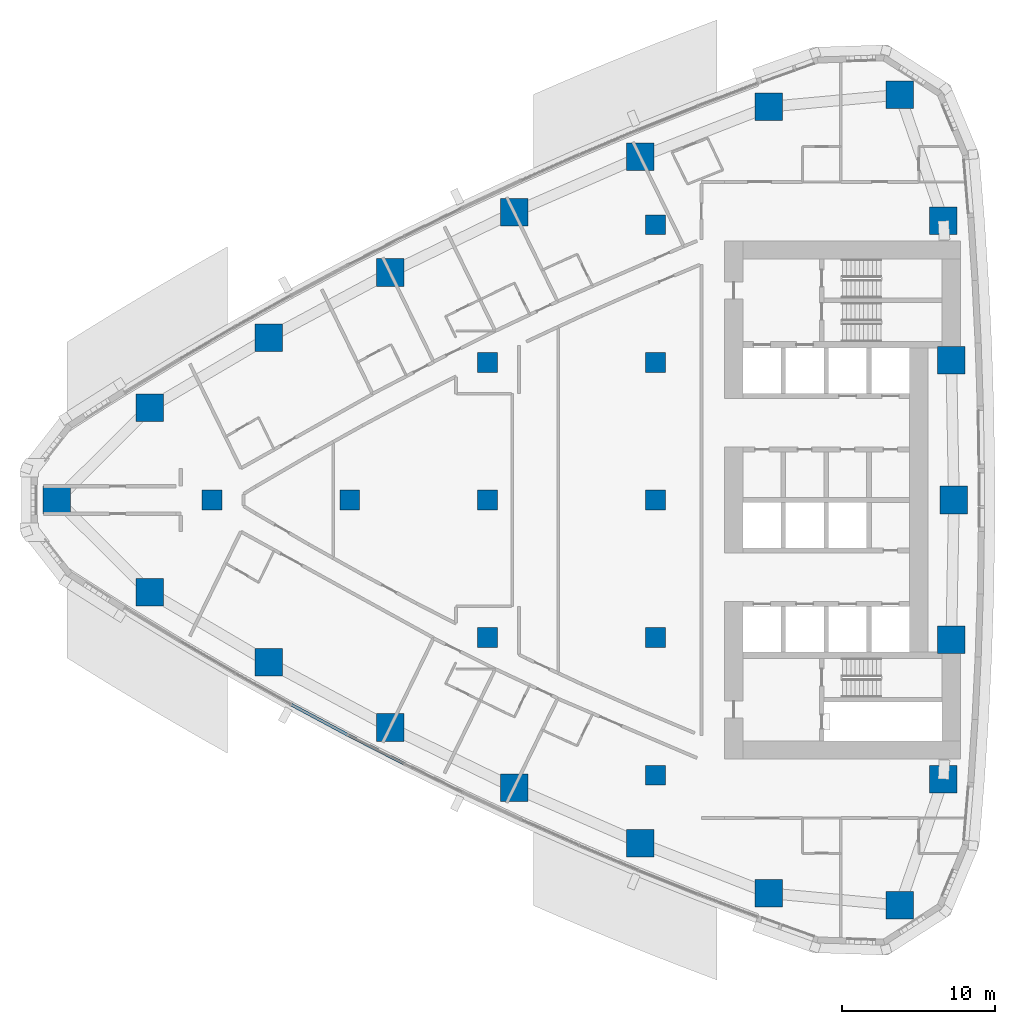
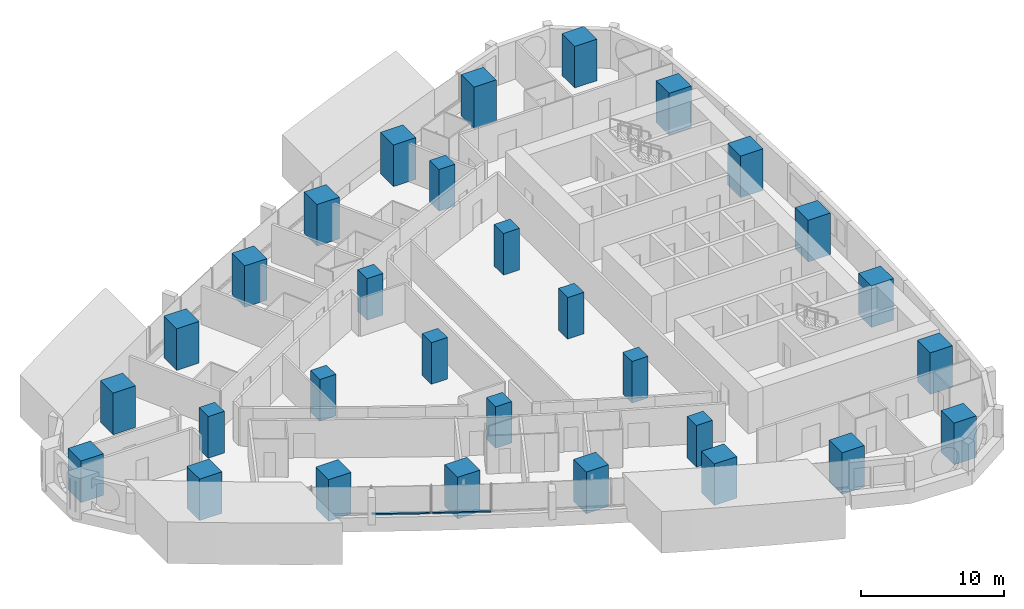
# One storey, part 1 of 19: 30 columns, 2 members, 1 element without a shape of its own.
"""IFC4 building model written with IfcOpenShell, lengths in metres."""

from ifc_helpers import new_model, si_unit, direction, frame, origin, origin_2d, place, context, subcontext, project, spatial, rectangle, extrude, material, layer, layer_set, material_profile, profile_set, type_object, element, aggregate, save


model = new_model("IFC4")

# Units and contexts
model_context = context("Model", 3, precision=1e-05, world=origin(), true_north=direction((0.0, 1.0)))
body_context = subcontext(model_context, "Body", "Model", "MODEL_VIEW")
ifc_project = project(units=[si_unit("LENGTHUNIT", "METRE"), si_unit("AREAUNIT", "SQUARE_METRE"), si_unit("VOLUMEUNIT", "CUBIC_METRE"), si_unit("PLANEANGLEUNIT", "RADIAN"), si_unit("MASSUNIT", "GRAM", prefix="KILO")], contexts=[model_context])

# Site, building, storey
site_placement = place(None, origin())
site = spatial("IfcSite", under=ifc_project, at=site_placement, CompositionType="ELEMENT")
building_placement = place(site_placement, origin())
building = spatial("IfcBuilding", under=site, at=building_placement, Name="Ostrand Prow Hotel Tower", CompositionType="ELEMENT")
storey_placement = place(building_placement, frame((0.0, 0.0, 39.60009765625)))
storey = spatial("IfcBuildingStorey", under=building, at=storey_placement, Name="L07", CompositionType="ELEMENT", Elevation=39.60009765625)

# Columns
ifc_material_1 = material(Name="Concrete C80/95", Category="concrete")
ifc_material_profile_1 = material_profile(ifc_material_1, rectangle(XDim=1.300048828125, YDim=1.300048828125, at=origin_2d()), Name="RC 1300x1300")
ifc_profile_set_1 = profile_set([ifc_material_profile_1], Name="Concrete C80/95")
column_type_1 = type_object("IfcColumnType", Name="Interior column 1300x1300 C80/95", PredefinedType="COLUMN", material=ifc_profile_set_1)
for number, where, z_axis, x_axis, name in (
    (1, (16.0, 0.0, 0.0), (0.0, 0.0, 1.0), (1.0, 0.0, 0.0), "Interior column 16C0"),
    (2, (25.0, 0.0, 0.0), (0.0, 0.0, 1.0), (1.0, 0.0, 0.0), "Interior column 25C0"),
    (3, (34.0, -9.0, 0.0), (0.0, 0.0, 1.0), (1.0, 0.0, 0.0), "Interior column 34S9"),
    (4, (34.0, 0.0, 0.0), (0.0, 0.0, 1.0), (1.0, 0.0, 0.0), "Interior column 34C0"),
    (5, (34.0, 9.0, 0.0), (0.0, 0.0, 1.0), (1.0, 0.0, 0.0), "Interior column 34N9"),
    (6, (45.0, -18.0, 0.0), (0.0, 0.0, 1.0), (1.0, 0.0, 0.0), "Interior column 45S18"),
    (7, (45.0, -9.0, 0.0), (0.0, 0.0, 1.0), (1.0, 0.0, 0.0), "Interior column 45S9"),
    (8, (45.0, 0.0, 0.0), (0.0, 0.0, 1.0), (1.0, 0.0, 0.0), "Interior column 45C0"),
    (9, (45.0, 9.0, 0.0), (0.0, 0.0, 1.0), (1.0, 0.0, 0.0), "Interior column 45N9"),
    (10, (45.0, 18.0, 0.0), (0.0, 0.0, 1.0), (1.0, 0.0, 0.0), "Interior column 45N18"),
):
    element("IfcColumn", number, at=place(storey_placement, frame(where, z_axis=z_axis, x_axis=x_axis)), inside=storey, type_object=column_type_1, Name=name, PredefinedType="COLUMN", context=body_context, shape_type="SweptSolid", body=[
        extrude(rectangle(XDim=1.300048828125, YDim=1.300048828125, at=origin_2d()), origin(), (0.0, 0.0, 1.0), 3.5498046875),
    ])
ifc_material_2 = material(Name="Concrete C80/95", Category="concrete")
ifc_material_profile_2 = material_profile(ifc_material_2, rectangle(XDim=1.800048828125, YDim=1.800048828125, at=origin_2d()), Name="RC 1800x1800")
ifc_profile_set_2 = profile_set([ifc_material_profile_2], Name="Concrete C80/95")
column_type_2 = type_object("IfcColumnType", Name="Stone-faced mega column 1800x1800 C80/95", PredefinedType="COLUMN", material=ifc_profile_set_2)
for number, where, z_axis, x_axis, name in (
    (11, (5.848388671875, 0.0, 0.0), (0.0, 0.0, 1.0), (1.0, 0.0, 0.0), "Mega column P"),
    (12, (11.926513671875, -6.0419921875, 0.0), (0.0, 0.0, 1.0), (1.0, 0.0, 0.0), "Mega column S1"),
    (13, (19.69287109375, -10.61474609375, 0.0), (0.0, 0.0, 1.0), (1.0, 0.0, 0.0), "Mega column S2"),
    (14, (27.635498046875, -14.874267578125, 0.0), (0.0, 0.0, 1.0), (1.0, 0.0, 0.0), "Mega column S3"),
    (15, (35.7412109375, -18.814208984375, 0.0), (0.0, 0.0, 1.0), (1.0, 0.0, 0.0), "Mega column S4"),
    (16, (43.997802734375, -22.427978515625, 0.0), (0.0, 0.0, 1.0), (1.0, 0.0, 0.0), "Mega column S5"),
    (17, (52.3916015625, -25.710205078125, 0.0), (0.0, 0.0, 1.0), (1.0, 0.0, 0.0), "Mega column S6"),
    (18, (60.966064453125, -26.49853515625, 0.0), (0.0, 0.0, 1.0), (1.0, 0.0, 0.0), "Mega column SE"),
    (19, (63.8134765625, -18.248779296875, 0.0), (0.0, 0.0, 1.0), (1.0, 0.0, 0.0), "Mega column B1"),
    (20, (64.328369140625, -9.130859375, 0.0), (0.0, 0.0, 1.0), (1.0, 0.0, 0.0), "Mega column B2"),
    (21, (64.5, 0.0, 0.0), (0.0, 0.0, 1.0), (1.0, 0.0, 0.0), "Mega column B3"),
    (22, (64.328369140625, 9.130859375, 0.0), (0.0, 0.0, 1.0), (1.0, 0.0, 0.0), "Mega column B4"),
    (23, (63.8134765625, 18.248779296875, 0.0), (0.0, 0.0, 1.0), (1.0, 0.0, 0.0), "Mega column B5"),
    (24, (60.966064453125, 26.49853515625, 0.0), (0.0, 0.0, 1.0), (1.0, 0.0, 0.0), "Mega column NE"),
    (25, (52.3916015625, 25.710205078125, 0.0), (0.0, 0.0, 1.0), (1.0, 0.0, 0.0), "Mega column N1"),
    (26, (43.997802734375, 22.427978515625, 0.0), (0.0, 0.0, 1.0), (1.0, 0.0, 0.0), "Mega column N2"),
    (27, (35.7412109375, 18.814208984375, 0.0), (0.0, 0.0, 1.0), (1.0, 0.0, 0.0), "Mega column N3"),
    (28, (27.635498046875, 14.874267578125, 0.0), (0.0, 0.0, 1.0), (1.0, 0.0, 0.0), "Mega column N4"),
    (29, (19.69287109375, 10.61474609375, 0.0), (0.0, 0.0, 1.0), (1.0, 0.0, 0.0), "Mega column N5"),
    (30, (11.926513671875, 6.0419921875, 0.0), (0.0, 0.0, 1.0), (1.0, 0.0, 0.0), "Mega column N6"),
):
    element("IfcColumn", number, at=place(storey_placement, frame(where, z_axis=z_axis, x_axis=x_axis)), inside=storey, type_object=column_type_2, Name=name, PredefinedType="COLUMN", context=body_context, shape_type="SweptSolid", body=[
        extrude(rectangle(XDim=1.800048828125, YDim=1.800048828125, at=origin_2d()), origin(), (0.0, 0.0, 1.0), 3.5498046875),
    ])

# Curtain wall, members
ifc_material_3 = material(Name="Insulated glass in bronze anodised frame", Category="glass")
ifc_layer = layer(ifc_material_3, 0.199951171875)
ifc_layer_set = layer_set([ifc_layer], Name="Insulated glass in bronze anodised frame")
curtain_wall_type = type_object("IfcCurtainWallType", Name="Strip curtain wall, fritted glass over bronze spandrel", PredefinedType="NOTDEFINED", material=ifc_layer_set)
curtain_wall_placement = place(storey_placement, origin())
curtain_wall = element("IfcCurtainWall", 31, at=curtain_wall_placement, inside=storey, type_object=curtain_wall_type, Name="CW1 run CWS2", PredefinedType="NOTDEFINED")
ifc_material_4 = material(Name="Bronze anodised aluminium", Category="aluminium")
ifc_material_profile_3 = material_profile(ifc_material_4, rectangle(XDim=0.199951171875, YDim=0.1201171875, at=origin_2d()), Name="Transom 120x200 bronze anodised aluminium")
ifc_profile_set_3 = profile_set([ifc_material_profile_3], Name="Bronze anodised aluminium")
member_type = type_object("IfcMemberType", Name="Transom 120x200 bronze anodised aluminium", PredefinedType="USERDEFINED", material=ifc_profile_set_3)
member_1_placement = place(storey_placement, frame((21.187255859375, -13.386962890625, 0.9599609375), z_axis=(0.881657241639, -0.471890356191, 0.0), x_axis=(0.471890356191, 0.881657241639, 0.0)))
member_1 = element("IfcMember", 32, at=member_1_placement, type_object=member_type, Name="CW1 transom 2.1", ObjectType="TRANSOM", PredefinedType="USERDEFINED", context=body_context, shape_type="SweptSolid", body=[
    extrude(rectangle(XDim=0.199951171875, YDim=0.1201171875, at=origin_2d()), origin(), (0.0, 0.0, 1.0), 4.13427734375),
])
member_2_placement = place(storey_placement, frame((24.885498046875, -15.36572265625, 0.9599609375), z_axis=(0.890182999343, -0.455603147136, 0.0), x_axis=(0.455603147136, 0.890182999343, 0.0)))
member_2 = element("IfcMember", 33, at=member_2_placement, type_object=member_type, Name="CW1 transom 3.1", ObjectType="TRANSOM", PredefinedType="USERDEFINED", context=body_context, shape_type="SweptSolid", body=[
    extrude(rectangle(XDim=0.199951171875, YDim=0.1201171875, at=origin_2d()), origin(), (0.0, 0.0, 1.0), 4.13427734375),
])
aggregate(curtain_wall, [member_1, member_2])

save(model, "model.ifc")
